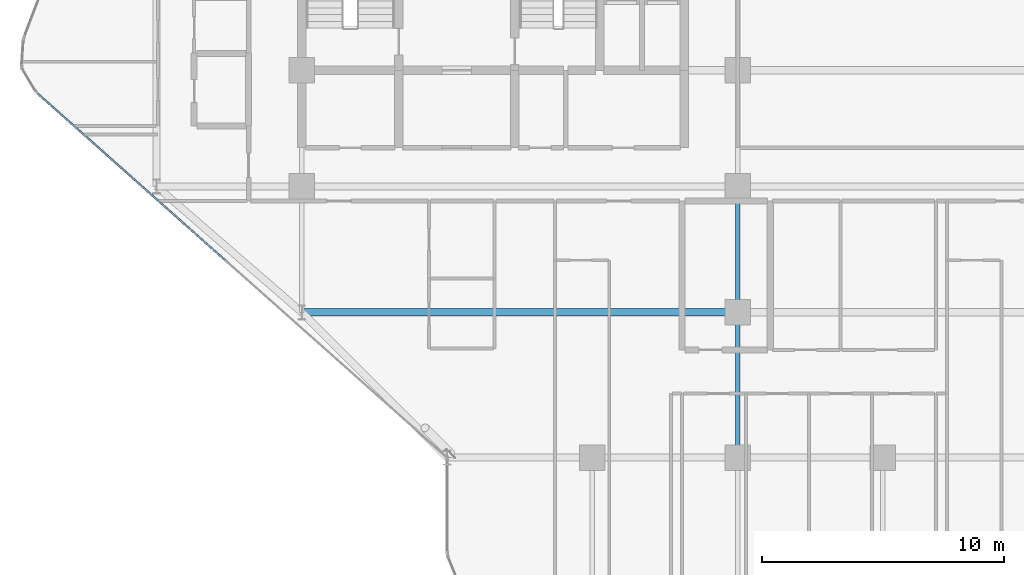
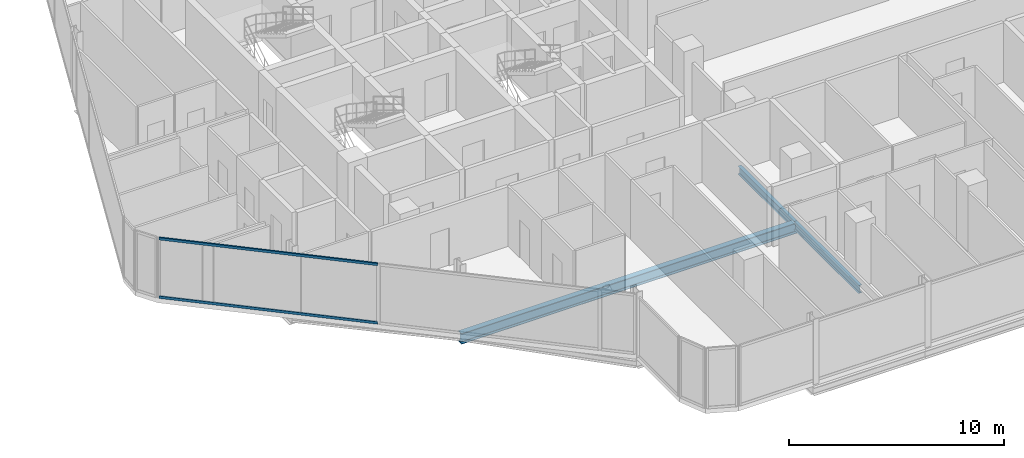
# One storey, part 5 of 30: 3 beams, 2 members, 1 element without a shape of its own.
"""IFC4 building model written with IfcOpenShell, lengths in metres."""

from ifc_helpers import new_model, si_unit, direction, frame, origin, origin_2d, place, context, subcontext, project, spatial, hollow_rectangle, i_section, extrude, material, layer, layer_set, material_profile, profile_set, type_object, element, aggregate, save


model = new_model("IFC4")

# Units and contexts
model_context = context("Model", 3, precision=1e-05, world=origin(), true_north=direction((0.0, 1.0)))
body_context = subcontext(model_context, "Body", "Model", "MODEL_VIEW")
ifc_project = project(units=[si_unit("LENGTHUNIT", "METRE"), si_unit("AREAUNIT", "SQUARE_METRE"), si_unit("VOLUMEUNIT", "CUBIC_METRE"), si_unit("PLANEANGLEUNIT", "RADIAN"), si_unit("MASSUNIT", "GRAM", prefix="KILO")], contexts=[model_context])

# Site, building, storey
site_placement = place(None, origin())
site = spatial("IfcSite", under=ifc_project, at=site_placement, CompositionType="ELEMENT")
building_placement = place(site_placement, origin())
building = spatial("IfcBuilding", under=site, at=building_placement, Name="Keshet Zoharim Tower", CompositionType="ELEMENT")
storey_placement = place(building_placement, frame((0.0, 0.0, 90.89990234375)))
storey = spatial("IfcBuildingStorey", under=building, at=storey_placement, Name="L21", CompositionType="ELEMENT", Elevation=90.89990234375)

# Beams
ifc_material_1 = material(Name="Steel S355", Category="steel")
ifc_material_profile_1 = material_profile(ifc_material_1, i_section(OverallWidth=0.300048828125, OverallDepth=0.60009765625, WebThickness=0.015380859375, FlangeThickness=0.030029296875, FilletRadius=0.027099609375, at=origin_2d()), Name="HEB600")
ifc_profile_set_1 = profile_set([ifc_material_profile_1], Name="Steel S355")
beam_type_1 = type_object("IfcBeamType", Name="BM-LNG-HB600", PredefinedType="BEAM", material=ifc_profile_set_1)
beam_1_placement = place(storey_placement, frame((15.0, 12.699951171875, -0.614990234375), z_axis=(1.0, 0.0, 0.0), x_axis=(0.0, 1.0, 0.0)))
element("IfcBeam", 1, at=beam_1_placement, inside=storey, type_object=beam_type_1, Name="L21 Primary Girder X-009", PredefinedType="BEAM", context=body_context, shape_type="SweptSolid", body=[
    extrude(i_section(OverallWidth=0.300048828125, OverallDepth=0.60009765625, WebThickness=0.015380859375, FlangeThickness=0.030029296875, FilletRadius=0.027099609375, at=origin_2d()), origin(), (0.0, 0.0, 1.0), 18.0),
])
ifc_material_profile_2 = material_profile(ifc_material_1, i_section(OverallWidth=0.18994140625, OverallDepth=0.449951171875, WebThickness=0.009521484375, FlangeThickness=0.0146484375, FilletRadius=0.02099609375, at=origin_2d()), Name="IPE450")
ifc_profile_set_2 = profile_set([ifc_material_profile_2], Name="Steel S355")
beam_type_2 = type_object("IfcBeamType", Name="BM-PRI-IP450", PredefinedType="BEAM", material=ifc_profile_set_2)
beam_2_placement = place(storey_placement, frame((33.0, 6.699951171875, -0.539794921875), z_axis=(0.0, 1.0, 0.0), x_axis=(-1.0, 0.0, 0.0)))
element("IfcBeam", 2, at=beam_2_placement, inside=storey, type_object=beam_type_2, Name="L21 Primary Girder Y-006", PredefinedType="BEAM", context=body_context, shape_type="SweptSolid", body=[
    extrude(i_section(OverallWidth=0.18994140625, OverallDepth=0.449951171875, WebThickness=0.009521484375, FlangeThickness=0.0146484375, FilletRadius=0.02099609375, at=origin_2d()), origin(), (0.0, 0.0, 1.0), 6.0),
])
beam_3_placement = place(storey_placement, frame((33.0, 12.699951171875, -0.539794921875), z_axis=(0.0, 1.0, 0.0), x_axis=(-1.0, 0.0, 0.0)))
element("IfcBeam", 3, at=beam_3_placement, inside=storey, type_object=beam_type_2, Name="L21 Primary Girder Y-007", PredefinedType="BEAM", context=body_context, shape_type="SweptSolid", body=[
    extrude(i_section(OverallWidth=0.18994140625, OverallDepth=0.449951171875, WebThickness=0.009521484375, FlangeThickness=0.0146484375, FilletRadius=0.02099609375, at=origin_2d()), origin(), (0.0, 0.0, 1.0), 5.199951171875),
])

# Curtain wall, members
ifc_material_2 = material(Name="Aluminium 6063-T6", Category="aluminium")
ifc_layer = layer(ifc_material_2, 0.159912109375)
ifc_layer_set = layer_set([ifc_layer], Name="Aluminium 6063-T6")
curtain_wall_type = type_object("IfcCurtainWallType", Name="CW-SYS-03", PredefinedType="NOTDEFINED", material=ifc_layer_set)
curtain_wall_placement = place(storey_placement, origin())
curtain_wall = element("IfcCurtainWall", 4, at=curtain_wall_placement, inside=storey, type_object=curtain_wall_type, Name="L21 Unitised Curtain Wall 07 Part 2", PredefinedType="NOTDEFINED")
ifc_material_profile_3 = material_profile(ifc_material_2, hollow_rectangle(XDim=0.080078125, YDim=0.139892578125, WallThickness=0.00390625, at=origin_2d()), Name="TRN-80x140")
ifc_profile_set_3 = profile_set([ifc_material_profile_3], Name="Aluminium 6063-T6")
member_type = type_object("IfcMemberType", Name="CWT-T14", PredefinedType="USERDEFINED", material=ifc_profile_set_3)
member_1_placement = place(storey_placement, frame((11.83349609375, 14.847900390625, 0.03515625), z_axis=(-0.747405419639, 0.664368225229, 0.0), x_axis=(-0.664368225229, -0.747405419639, 0.0)))
member_1 = element("IfcMember", 5, at=member_1_placement, type_object=member_type, Name="CW-03 transom 2.1", ObjectType="TRANSOM", PredefinedType="USERDEFINED", context=body_context, shape_type="SweptSolid", body=[
    extrude(hollow_rectangle(XDim=0.080078125, YDim=0.139892578125, WallThickness=0.00390625, at=origin_2d()), origin(), (0.0, 0.0, 1.0), 10.364013671875),
])
member_2_placement = place(storey_placement, frame((11.83349609375, 14.847900390625, 3.35009765625), z_axis=(-0.747405419639, 0.664368225229, 0.0), x_axis=(-0.664368225229, -0.747405419639, 0.0)))
member_2 = element("IfcMember", 6, at=member_2_placement, type_object=member_type, Name="CW-03 transom 2.2", ObjectType="TRANSOM", PredefinedType="USERDEFINED", context=body_context, shape_type="SweptSolid", body=[
    extrude(hollow_rectangle(XDim=0.080078125, YDim=0.139892578125, WallThickness=0.00390625, at=origin_2d()), origin(), (0.0, 0.0, 1.0), 10.364013671875),
])
aggregate(curtain_wall, [member_1, member_2])

save(model, "model.ifc")
